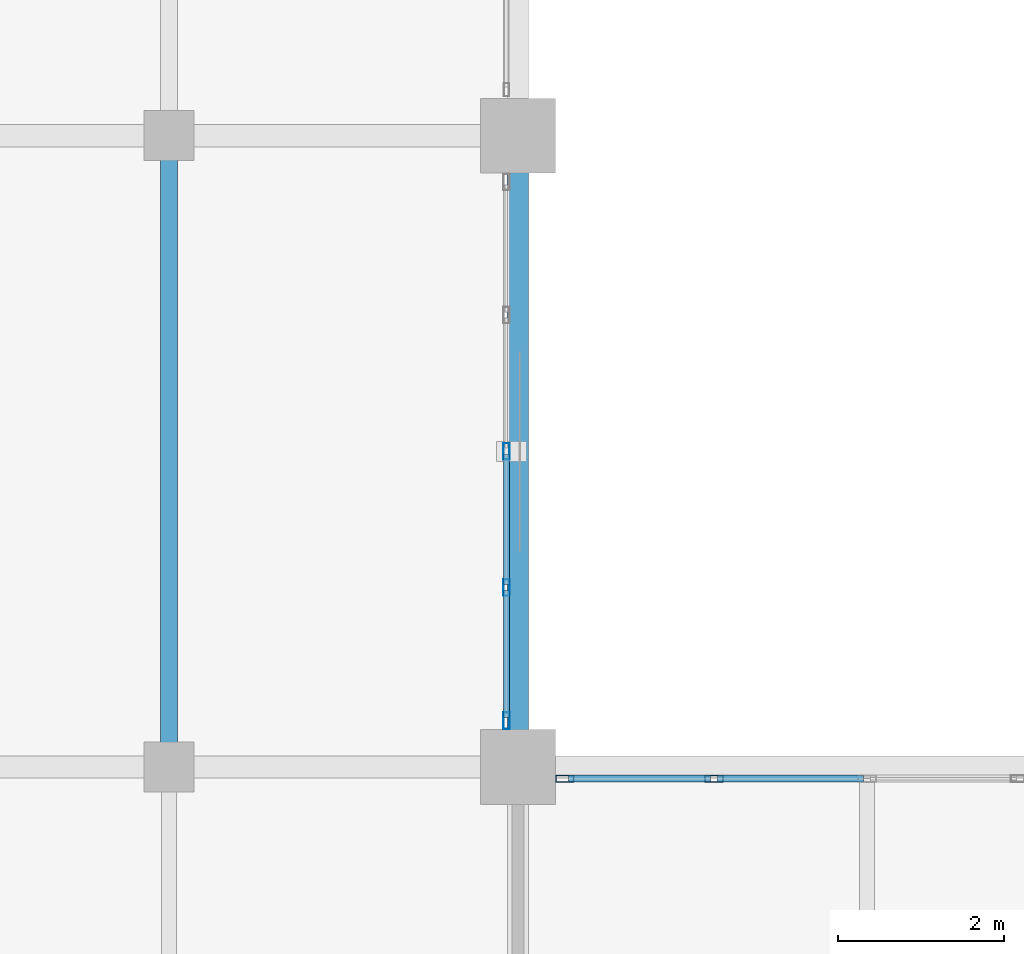
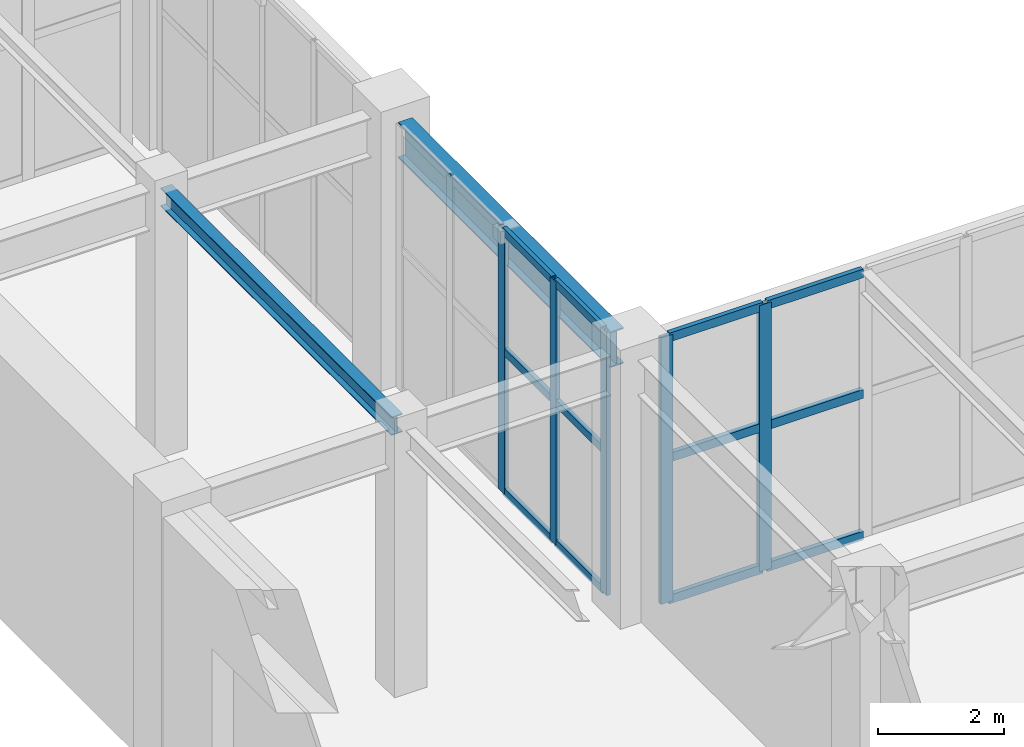
# One storey, part 66 of 139: 17 members, 2 beams, 2 elements without a shape of their own.
"""IFC4 building model written with IfcOpenShell, lengths in metres."""

from ifc_helpers import new_model, si_unit, direction, frame, origin, origin_2d, place, context, subcontext, project, spatial, hollow_rectangle, i_section, extrude, material, layer, layer_set, material_profile, profile_set, type_object, element, aggregate, save


model = new_model("IFC4")

# Units and contexts
model_context = context("Model", 3, precision=1e-05, world=origin(), true_north=direction((0.0, 1.0)))
body_context = subcontext(model_context, "Body", "Model", "MODEL_VIEW")
ifc_project = project(units=[si_unit("LENGTHUNIT", "METRE"), si_unit("AREAUNIT", "SQUARE_METRE"), si_unit("VOLUMEUNIT", "CUBIC_METRE"), si_unit("PLANEANGLEUNIT", "RADIAN"), si_unit("MASSUNIT", "GRAM", prefix="KILO")], contexts=[model_context])

# Site, building, storey
site_placement = place(None, origin())
site = spatial("IfcSite", under=ifc_project, at=site_placement, CompositionType="ELEMENT")
building_placement = place(site_placement, origin())
building = spatial("IfcBuilding", under=site, at=building_placement, Name="Xicomal Pleat Aquarium", CompositionType="ELEMENT")
storey_placement = place(building_placement, origin())
storey = spatial("IfcBuildingStorey", under=building, at=storey_placement, Name="L01", CompositionType="ELEMENT", Elevation=0.0)

# Beams
ifc_material_1 = material(Name="Structural steel A992 Gr 50", Category="steel")
ifc_material_profile_1 = material_profile(ifc_material_1, i_section(OverallWidth=0.205078125, OverallDepth=0.35400390625, WebThickness=0.009521484375, FlangeThickness=0.016845703125, at=origin_2d()), Name="IR 360x79")
ifc_profile_set_1 = profile_set([ifc_material_profile_1], Name="Structural steel A992 Gr 50")
beam_type_1 = type_object("IfcBeamType", Name="BM-STL-IR360", PredefinedType="JOIST", material=ifc_profile_set_1)
beam_1_placement = place(storey_placement, frame((90.0, 68.537109375, 4.923095703125), z_axis=(0.0, 1.0, 0.0), x_axis=(-1.0, 0.0, 0.0)))
element("IfcBeam", 1, at=beam_1_placement, inside=storey, type_object=beam_type_1, Name="L01 framing beam FBJ-L01-11-K-1", PredefinedType="JOIST", context=body_context, shape_type="SweptSolid", body=[
    extrude(i_section(OverallWidth=0.205078125, OverallDepth=0.35400390625, WebThickness=0.009521484375, FlangeThickness=0.016845703125, at=origin_2d()), origin(), (0.0, 0.0, 1.0), 7.325927734375),
])
ifc_material_2 = material(Name="Structural steel A992 Gr 50", Category="steel")
ifc_material_profile_2 = material_profile(ifc_material_2, i_section(OverallWidth=0.256103515625, OverallDepth=0.693115234375, WebThickness=0.014404296875, FlangeThickness=0.023681640625, at=origin_2d()), Name="IR 690x170")
ifc_profile_set_2 = profile_set([ifc_material_profile_2], Name="Structural steel A992 Gr 50")
beam_type_2 = type_object("IfcBeamType", Name="BM-STL-IR690", PredefinedType="BEAM", material=ifc_profile_set_2)
beam_2_placement = place(storey_placement, frame((94.199951171875, 68.844970703125, 4.75341796875), z_axis=(0.0, 1.0, 0.0), x_axis=(-1.0, 0.0, 0.0)))
element("IfcBeam", 2, at=beam_2_placement, inside=storey, type_object=beam_type_2, Name="L01 framing beam FGY-L01-12-K-L", PredefinedType="BEAM", context=body_context, shape_type="SweptSolid", body=[
    extrude(i_section(OverallWidth=0.256103515625, OverallDepth=0.693115234375, WebThickness=0.014404296875, FlangeThickness=0.023681640625, at=origin_2d()), origin(), (0.0, 0.0, 1.0), 6.7099609375),
])

# Curtain wall, members
ifc_material_3 = material(Name="Bronze anodized aluminium 6063-T6", Category="aluminium")
ifc_layer_1 = layer(ifc_material_3, 0.159912109375)
ifc_layer_set_1 = layer_set([ifc_layer_1], Name="Bronze anodized aluminium 6063-T6")
curtain_wall_type_1 = type_object("IfcCurtainWallType", Name="CW-SYS-06", PredefinedType="NOTDEFINED", material=ifc_layer_set_1)
curtain_wall_1_placement = place(storey_placement, origin())
curtain_wall_1 = element("IfcCurtainWall", 3, at=curtain_wall_1_placement, inside=storey, type_object=curtain_wall_type_1, Name="L01 unitised curtain wall CW-L01-040", PredefinedType="NOTDEFINED")
ifc_material_4 = material(Name="Bronze anodized aluminium 6063-T6", Category="aluminium")
ifc_material_profile_3 = material_profile(ifc_material_4, hollow_rectangle(XDim=0.074951171875, YDim=0.199951171875, WallThickness=0.00439453125, at=origin_2d()), Name="ALU MULL 75x200")
ifc_profile_set_3 = profile_set([ifc_material_profile_3], Name="Bronze anodized aluminium 6063-T6")
member_type_1 = type_object("IfcMemberType", Name="CWM-75x200", PredefinedType="MULLION", material=ifc_profile_set_3)
member_1_placement = place(storey_placement, frame((94.06005859375, 72.199951171875, 0.0), z_axis=(0.0, 0.0, 1.0), x_axis=(1.0, 0.0, 0.0)))
member_1 = element("IfcMember", 4, at=member_1_placement, type_object=member_type_1, Name="CW-06 mullion 3", PredefinedType="MULLION", context=body_context, shape_type="SweptSolid", body=[
    extrude(hollow_rectangle(XDim=0.074951171875, YDim=0.199951171875, WallThickness=0.00439453125, at=origin_2d()), origin(), (0.0, 0.0, 1.0), 5.10009765625),
])
member_2_placement = place(storey_placement, frame((94.06005859375, 70.56005859375, 0.0), z_axis=(0.0, 0.0, 1.0), x_axis=(1.0, 0.0, 0.0)))
member_2 = element("IfcMember", 5, at=member_2_placement, type_object=member_type_1, Name="CW-06 mullion 4", PredefinedType="MULLION", context=body_context, shape_type="SweptSolid", body=[
    extrude(hollow_rectangle(XDim=0.074951171875, YDim=0.199951171875, WallThickness=0.00439453125, at=origin_2d()), origin(), (0.0, 0.0, 1.0), 5.10009765625),
])
member_3_placement = place(storey_placement, frame((94.06005859375, 68.95751953125, 0.0), z_axis=(0.0, 0.0, 1.0), x_axis=(1.0, 0.0, 0.0)))
member_3 = element("IfcMember", 6, at=member_3_placement, type_object=member_type_1, Name="CW-06 mullion 5", PredefinedType="MULLION", context=body_context, shape_type="SweptSolid", body=[
    extrude(hollow_rectangle(XDim=0.074951171875, YDim=0.199951171875, WallThickness=0.00439453125, at=origin_2d()), origin(), (0.0, 0.0, 1.0), 5.10009765625),
])

ifc_material_5 = material(Name="Bronze anodized aluminium 6063-T6", Category="aluminium")
ifc_layer_2 = layer(ifc_material_5, 0.159912109375)
ifc_layer_set_2 = layer_set([ifc_layer_2], Name="Bronze anodized aluminium 6063-T6")
curtain_wall_type_2 = type_object("IfcCurtainWallType", Name="CW-SYS-11", PredefinedType="NOTDEFINED", material=ifc_layer_set_2)
curtain_wall_2_placement = place(storey_placement, origin())
curtain_wall_2 = element("IfcCurtainWall", 7, at=curtain_wall_2_placement, inside=storey, type_object=curtain_wall_type_2, Name="L01 unitised curtain wall CW-L01-041", PredefinedType="NOTDEFINED")
ifc_material_6 = material(Name="Bronze anodized aluminium 6063-T6", Category="aluminium")
ifc_material_profile_4 = material_profile(ifc_material_6, hollow_rectangle(XDim=0.0849609375, YDim=0.219970703125, WallThickness=0.0048828125, at=origin_2d()), Name="ALU MULL 85x220")
ifc_profile_set_4 = profile_set([ifc_material_profile_4], Name="Bronze anodized aluminium 6063-T6")
member_type_2 = type_object("IfcMemberType", Name="CWM-85x220", PredefinedType="MULLION", material=ifc_profile_set_4)
member_4_placement = place(storey_placement, frame((94.762451171875, 68.260009765625, 0.0), z_axis=(0.0, 0.0, 1.0), x_axis=(0.0, 1.0, 0.0)))
member_4 = element("IfcMember", 8, at=member_4_placement, type_object=member_type_2, Name="CW-11 mullion 1", PredefinedType="MULLION", context=body_context, shape_type="SweptSolid", body=[
    extrude(hollow_rectangle(XDim=0.0849609375, YDim=0.219970703125, WallThickness=0.0048828125, at=origin_2d()), origin(), (0.0, 0.0, 1.0), 5.159912109375),
])
member_5_placement = place(storey_placement, frame((96.56005859375, 68.260009765625, 0.0), z_axis=(0.0, 0.0, 1.0), x_axis=(0.0, 1.0, 0.0)))
member_5 = element("IfcMember", 9, at=member_5_placement, type_object=member_type_2, Name="CW-11 mullion 2", PredefinedType="MULLION", context=body_context, shape_type="SweptSolid", body=[
    extrude(hollow_rectangle(XDim=0.0849609375, YDim=0.219970703125, WallThickness=0.0048828125, at=origin_2d()), origin(), (0.0, 0.0, 1.0), 5.159912109375),
])

# Member
ifc_material_7 = material(Name="Bronze anodized aluminium 6063-T6", Category="aluminium")
ifc_material_profile_5 = material_profile(ifc_material_7, hollow_rectangle(XDim=0.074951171875, YDim=0.14990234375, WallThickness=0.00439453125, at=origin_2d()), Name="ALU TRAN 75x150")
ifc_profile_set_5 = profile_set([ifc_material_profile_5], Name="Bronze anodized aluminium 6063-T6")
member_type_3 = type_object("IfcMemberType", Name="CWT-75x150", PredefinedType="USERDEFINED", material=ifc_profile_set_5)
member_6_placement = place(storey_placement, frame((94.06005859375, 72.16259765625, 0.03759765625), z_axis=(0.0, -1.0, 0.0), x_axis=(1.0, 0.0, 0.0)))
member_6 = element("IfcMember", 10, at=member_6_placement, type_object=member_type_3, Name="CW-06 transom 3.1", ObjectType="TRANSOM", PredefinedType="USERDEFINED", context=body_context, shape_type="SweptSolid", body=[
    extrude(hollow_rectangle(XDim=0.074951171875, YDim=0.14990234375, WallThickness=0.00439453125, at=origin_2d()), origin(), (0.0, 0.0, 1.0), 1.565185546875),
])

member_7_placement = place(storey_placement, frame((94.06005859375, 72.16259765625, 2.75390625), z_axis=(0.0, -1.0, 0.0), x_axis=(1.0, 0.0, 0.0)))
member_7 = element("IfcMember", 11, at=member_7_placement, type_object=member_type_3, Name="CW-06 transom 3.2", ObjectType="TRANSOM", PredefinedType="USERDEFINED", context=body_context, shape_type="SweptSolid", body=[
    extrude(hollow_rectangle(XDim=0.074951171875, YDim=0.14990234375, WallThickness=0.00439453125, at=origin_2d()), origin(), (0.0, 0.0, 1.0), 1.565185546875),
])

member_8_placement = place(storey_placement, frame((94.06005859375, 72.16259765625, 5.0625), z_axis=(0.0, -1.0, 0.0), x_axis=(1.0, 0.0, 0.0)))
member_8 = element("IfcMember", 12, at=member_8_placement, type_object=member_type_3, Name="CW-06 transom 3.3", ObjectType="TRANSOM", PredefinedType="USERDEFINED", context=body_context, shape_type="SweptSolid", body=[
    extrude(hollow_rectangle(XDim=0.074951171875, YDim=0.14990234375, WallThickness=0.00439453125, at=origin_2d()), origin(), (0.0, 0.0, 1.0), 1.565185546875),
])

member_9_placement = place(storey_placement, frame((94.06005859375, 70.5224609375, 0.03759765625), z_axis=(0.0, -1.0, 0.0), x_axis=(1.0, 0.0, 0.0)))
member_9 = element("IfcMember", 13, at=member_9_placement, type_object=member_type_3, Name="CW-06 transom 4.1", ObjectType="TRANSOM", PredefinedType="USERDEFINED", context=body_context, shape_type="SweptSolid", body=[
    extrude(hollow_rectangle(XDim=0.074951171875, YDim=0.14990234375, WallThickness=0.00439453125, at=origin_2d()), origin(), (0.0, 0.0, 1.0), 1.52734375),
])

member_10_placement = place(storey_placement, frame((94.06005859375, 70.5224609375, 2.75390625), z_axis=(0.0, -1.0, 0.0), x_axis=(1.0, 0.0, 0.0)))
member_10 = element("IfcMember", 14, at=member_10_placement, type_object=member_type_3, Name="CW-06 transom 4.2", ObjectType="TRANSOM", PredefinedType="USERDEFINED", context=body_context, shape_type="SweptSolid", body=[
    extrude(hollow_rectangle(XDim=0.074951171875, YDim=0.14990234375, WallThickness=0.00439453125, at=origin_2d()), origin(), (0.0, 0.0, 1.0), 1.52734375),
])

member_11_placement = place(storey_placement, frame((94.06005859375, 70.5224609375, 5.0625), z_axis=(0.0, -1.0, 0.0), x_axis=(1.0, 0.0, 0.0)))
member_11 = element("IfcMember", 15, at=member_11_placement, type_object=member_type_3, Name="CW-06 transom 4.3", ObjectType="TRANSOM", PredefinedType="USERDEFINED", context=body_context, shape_type="SweptSolid", body=[
    extrude(hollow_rectangle(XDim=0.074951171875, YDim=0.14990234375, WallThickness=0.00439453125, at=origin_2d()), origin(), (0.0, 0.0, 1.0), 1.52734375),
])

aggregate(curtain_wall_1, [member_1, member_2, member_3, member_6, member_7, member_8, member_9, member_10, member_11])

ifc_material_8 = material(Name="Bronze anodized aluminium 6063-T6", Category="aluminium")
ifc_material_profile_6 = material_profile(ifc_material_8, hollow_rectangle(XDim=0.0849609375, YDim=0.169921875, WallThickness=0.0048828125, at=origin_2d()), Name="ALU TRAN 85x170")
ifc_profile_set_6 = profile_set([ifc_material_profile_6], Name="Bronze anodized aluminium 6063-T6")
member_type_4 = type_object("IfcMemberType", Name="CWT-85x170", PredefinedType="USERDEFINED", material=ifc_profile_set_6)
member_12_placement = place(storey_placement, frame((94.804931640625, 68.260009765625, 0.04248046875), z_axis=(1.0, 0.0, 0.0), x_axis=(0.0, 1.0, 0.0)))
member_12 = element("IfcMember", 16, at=member_12_placement, type_object=member_type_4, Name="CW-11 transom 1.1", ObjectType="TRANSOM", PredefinedType="USERDEFINED", context=body_context, shape_type="SweptSolid", body=[
    extrude(hollow_rectangle(XDim=0.0849609375, YDim=0.169921875, WallThickness=0.0048828125, at=origin_2d()), origin(), (0.0, 0.0, 1.0), 1.712646484375),
])

member_13_placement = place(storey_placement, frame((94.804931640625, 68.260009765625, 2.785888671875), z_axis=(1.0, 0.0, 0.0), x_axis=(0.0, 1.0, 0.0)))
member_13 = element("IfcMember", 17, at=member_13_placement, type_object=member_type_4, Name="CW-11 transom 1.2", ObjectType="TRANSOM", PredefinedType="USERDEFINED", context=body_context, shape_type="SweptSolid", body=[
    extrude(hollow_rectangle(XDim=0.0849609375, YDim=0.169921875, WallThickness=0.0048828125, at=origin_2d()), origin(), (0.0, 0.0, 1.0), 1.712646484375),
])

member_14_placement = place(storey_placement, frame((94.804931640625, 68.260009765625, 5.117431640625), z_axis=(1.0, 0.0, 0.0), x_axis=(0.0, 1.0, 0.0)))
member_14 = element("IfcMember", 18, at=member_14_placement, type_object=member_type_4, Name="CW-11 transom 1.3", ObjectType="TRANSOM", PredefinedType="USERDEFINED", context=body_context, shape_type="SweptSolid", body=[
    extrude(hollow_rectangle(XDim=0.0849609375, YDim=0.169921875, WallThickness=0.0048828125, at=origin_2d()), origin(), (0.0, 0.0, 1.0), 1.712646484375),
])

member_15_placement = place(storey_placement, frame((96.6025390625, 68.260009765625, 0.04248046875), z_axis=(1.0, 0.0, 0.0), x_axis=(0.0, 1.0, 0.0)))
member_15 = element("IfcMember", 19, at=member_15_placement, type_object=member_type_4, Name="CW-11 transom 2.1", ObjectType="TRANSOM", PredefinedType="USERDEFINED", context=body_context, shape_type="SweptSolid", body=[
    extrude(hollow_rectangle(XDim=0.0849609375, YDim=0.169921875, WallThickness=0.0048828125, at=origin_2d()), origin(), (0.0, 0.0, 1.0), 1.7548828125),
])

member_16_placement = place(storey_placement, frame((96.6025390625, 68.260009765625, 2.785888671875), z_axis=(1.0, 0.0, 0.0), x_axis=(0.0, 1.0, 0.0)))
member_16 = element("IfcMember", 20, at=member_16_placement, type_object=member_type_4, Name="CW-11 transom 2.2", ObjectType="TRANSOM", PredefinedType="USERDEFINED", context=body_context, shape_type="SweptSolid", body=[
    extrude(hollow_rectangle(XDim=0.0849609375, YDim=0.169921875, WallThickness=0.0048828125, at=origin_2d()), origin(), (0.0, 0.0, 1.0), 1.7548828125),
])

member_17_placement = place(storey_placement, frame((96.6025390625, 68.260009765625, 5.117431640625), z_axis=(1.0, 0.0, 0.0), x_axis=(0.0, 1.0, 0.0)))
member_17 = element("IfcMember", 21, at=member_17_placement, type_object=member_type_4, Name="CW-11 transom 2.3", ObjectType="TRANSOM", PredefinedType="USERDEFINED", context=body_context, shape_type="SweptSolid", body=[
    extrude(hollow_rectangle(XDim=0.0849609375, YDim=0.169921875, WallThickness=0.0048828125, at=origin_2d()), origin(), (0.0, 0.0, 1.0), 1.7548828125),
])

aggregate(curtain_wall_2, [member_4, member_5, member_12, member_13, member_14, member_15, member_16, member_17])

save(model, "model.ifc")
